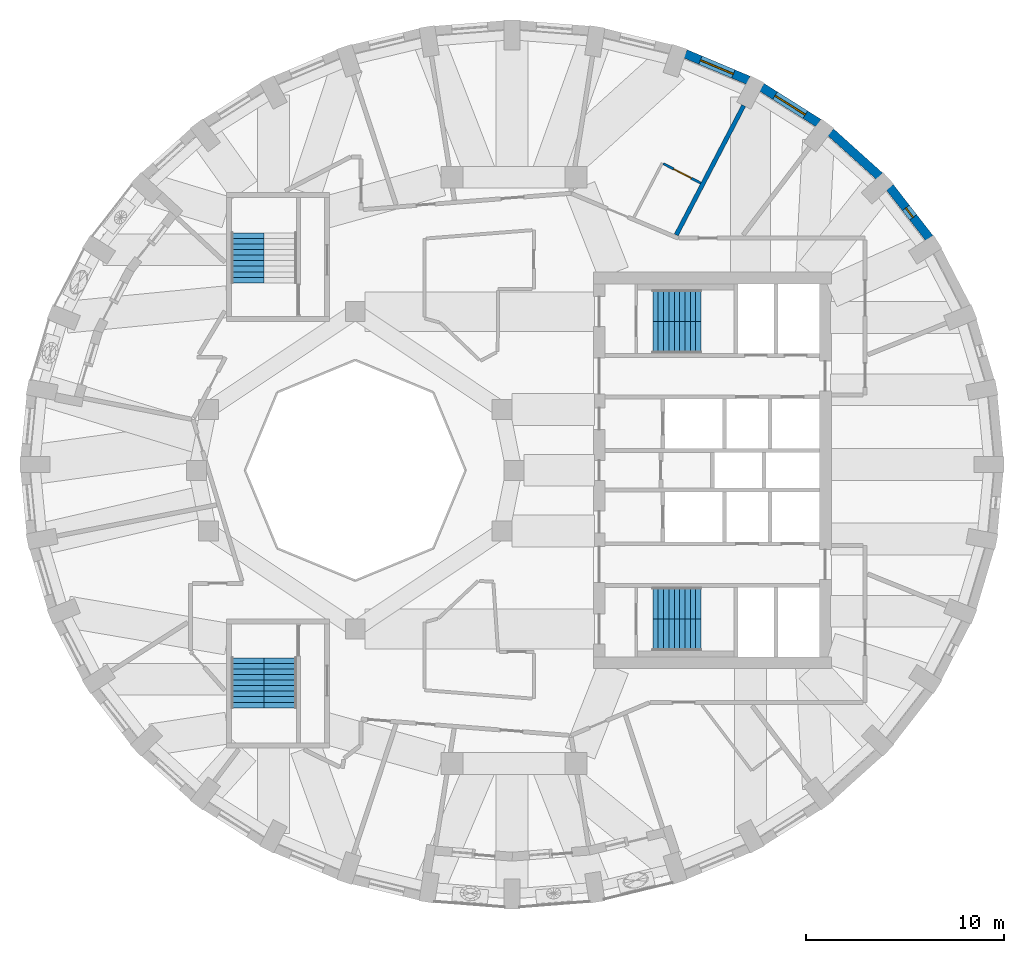
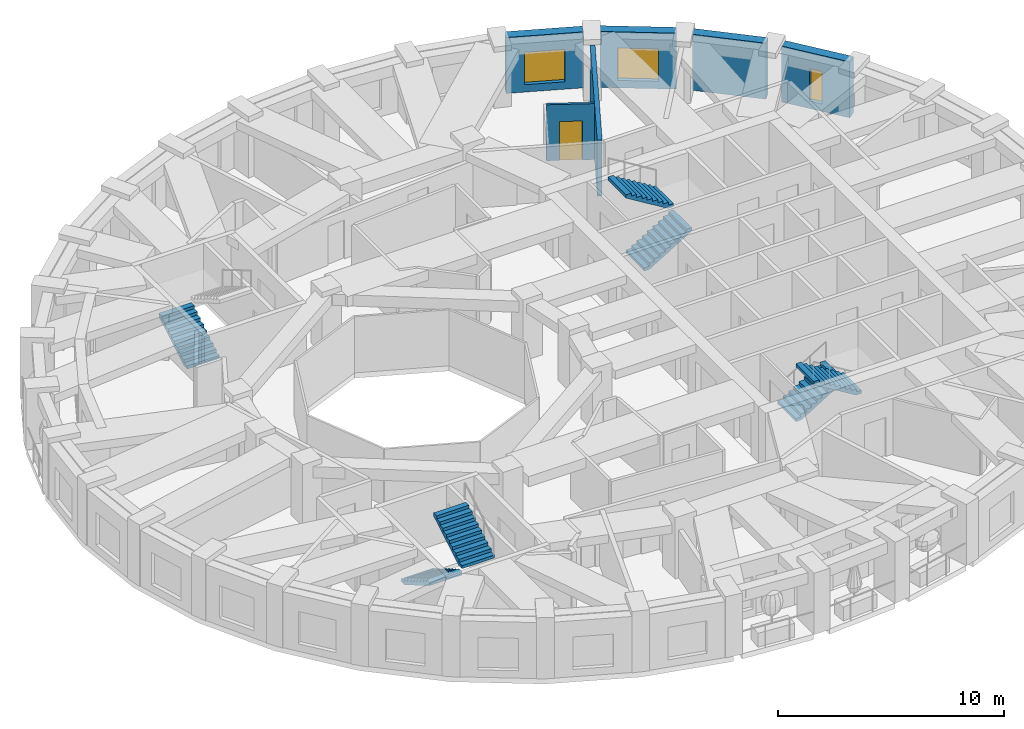
# One storey, part 8 of 12: 7 stair flights, 6 walls, 3 windows, 1 door, 4 openings, 4 elements without a shape of their own.
"""IFC4 building model written with IfcOpenShell, lengths in metres."""

from ifc_helpers import new_model, si_unit, direction, frame, frame_2d, origin, place, context, subcontext, project, spatial, polyline, rectangle, outline, extrude, material, layer, layer_set, type_object, element, fill, aggregate, save


model = new_model("IFC4")

# Units and contexts
model_context = context("Model", 3, precision=1e-05, world=origin(), true_north=direction((0.0, 1.0)))
body_context = subcontext(model_context, "Body", "Model", "MODEL_VIEW")
ifc_project = project(units=[si_unit("LENGTHUNIT", "METRE"), si_unit("AREAUNIT", "SQUARE_METRE"), si_unit("VOLUMEUNIT", "CUBIC_METRE"), si_unit("PLANEANGLEUNIT", "RADIAN"), si_unit("MASSUNIT", "GRAM", prefix="KILO")], contexts=[model_context])

# Site, building, storey
site_placement = place(None, origin())
site = spatial("IfcSite", under=ifc_project, at=site_placement, CompositionType="ELEMENT")
building_placement = place(site_placement, origin())
building = spatial("IfcBuilding", under=site, at=building_placement, Name="Taillehof Tower", CompositionType="ELEMENT")
storey_placement = place(building_placement, frame((0.0, 0.0, 246.5)))
storey = spatial("IfcBuildingStorey", under=building, at=storey_placement, Name="L70", CompositionType="ELEMENT", Elevation=246.5)

# Wall, opening, window
ifc_material_1 = material(Name="Brick masonry", Category="masonry")
ifc_layer_1 = layer(ifc_material_1, 0.449951171875)
ifc_layer_set_1 = layer_set([ifc_layer_1], Name="Brick infill wall 450")
wall_type_1 = type_object("IfcWallType", Name="Brick infill wall 450", PredefinedType="SOLIDWALL", material=ifc_layer_set_1)
wall_1_placement = place(storey_placement, frame((20.93505859375, 11.70849609375, 0.0), z_axis=(0.0, 0.0, 1.0), x_axis=(-0.613862536705, 0.789412937587, 0.0)))
wall_1 = element("IfcWall", 1, at=wall_1_placement, inside=storey, type_object=wall_type_1, Name="Brick wall L70 bay 4", PredefinedType="SOLIDWALL", context=body_context, shape_type="SweptSolid", body=[
    extrude(rectangle(XDim=3.247314453125, YDim=0.449951171875, at=frame_2d((1.62353515625, 0.0))), origin(), (0.0, 0.0, 1.0), 3.02001953125),
])
opening_1_placement = place(wall_1_placement, frame((1.32373046875, 0.0, 0.39990234375)))
opening_1 = element("IfcOpeningElement", 2, at=opening_1_placement, cuts=wall_1, Name="Opening W6", PredefinedType="OPENING", context=body_context, shape_type="SweptSolid", body=[
    extrude(rectangle(XDim=0.60009765625, YDim=1.75, at=frame_2d((0.300048828125, 0.875))), frame((0.0, 0.23486328125, 0.0), z_axis=(0.0, -1.0, 0.0), x_axis=(1.0, 0.0, 0.0)), (0.0, 0.0, 1.0), 0.469970703125),
])
ifc_material_2 = material(Name="Aluminium window frame with clear double glazing", Category="aluminium")
window_type_1 = type_object("IfcWindowType", Name="Slot window 600x1750", PartitioningType="SINGLE_PANEL", PredefinedType="WINDOW", material=ifc_material_2)
window_1_placement = place(opening_1_placement, origin())
window_1 = element("IfcWindow", 3, at=window_1_placement, inside=storey, type_object=window_type_1, Name="W6", OverallHeight=1.75, OverallWidth=0.60009765625, PartitioningType="SINGLE_PANEL", PredefinedType="WINDOW", context=body_context, shape_type="SweptSolid", body=[
    extrude(rectangle(XDim=0.60009765625, YDim=1.75, at=frame_2d((0.300048828125, 0.875))), frame((0.0, 0.034912109375, 0.0), z_axis=(0.0, -1.0, 0.0), x_axis=(1.0, 0.0, 0.0)), (0.0, 0.0, 1.0), 0.06005859375),
])
fill(opening_1, window_1)

# Wall
wall_2_placement = place(storey_placement, frame((18.423828125, 14.828369140625, 0.0), z_axis=(0.0, 0.0, 1.0), x_axis=(-0.743166014219, 0.669107073128, 0.0)))
element("IfcWall", 4, at=wall_2_placement, inside=storey, type_object=wall_type_1, Name="Brick wall L70 bay 5", PredefinedType="SOLIDWALL", context=body_context, shape_type="SweptSolid", body=[
    extrude(rectangle(XDim=3.31640625, YDim=0.449951171875, at=frame_2d((1.658203125, 0.0))), origin(), (0.0, 0.0, 1.0), 3.02001953125),
])

# Wall, opening, window
wall_3_placement = place(storey_placement, frame((15.35302734375, 17.506103515625, 0.0), z_axis=(0.0, 0.0, 1.0), x_axis=(-0.845929139811, 0.53329531258, 0.0)))
wall_3 = element("IfcWall", 5, at=wall_3_placement, inside=storey, type_object=wall_type_1, Name="Brick wall L70 bay 6", PredefinedType="SOLIDWALL", context=body_context, shape_type="SweptSolid", body=[
    extrude(rectangle(XDim=3.384521484375, YDim=0.449951171875, at=frame_2d((1.6923828125, 0.0))), origin(), (0.0, 0.0, 1.0), 3.02001953125),
])
opening_2_placement = place(wall_3_placement, frame((0.792236328125, 0.0, 0.39990234375)))
opening_2 = element("IfcOpeningElement", 6, at=opening_2_placement, cuts=wall_3, Name="Opening W4", PredefinedType="OPENING", context=body_context, shape_type="SweptSolid", body=[
    extrude(rectangle(XDim=1.800048828125, YDim=1.75, at=frame_2d((0.89990234375, 0.875))), frame((0.0, 0.23486328125, 0.0), z_axis=(0.0, -1.0, 0.0), x_axis=(1.0, 0.0, 0.0)), (0.0, 0.0, 1.0), 0.469970703125),
])
ifc_material_3 = material(Name="Aluminium window frame with clear double glazing", Category="aluminium")
window_type_2 = type_object("IfcWindowType", Name="Deep-set window 1800x1750", PartitioningType="SINGLE_PANEL", PredefinedType="WINDOW", material=ifc_material_3)
window_2_placement = place(opening_2_placement, origin())
window_2 = element("IfcWindow", 7, at=window_2_placement, inside=storey, type_object=window_type_2, Name="W4", OverallHeight=1.75, OverallWidth=1.800048828125, PartitioningType="SINGLE_PANEL", PredefinedType="WINDOW", context=body_context, shape_type="SweptSolid", body=[
    extrude(rectangle(XDim=1.800048828125, YDim=1.75, at=frame_2d((0.89990234375, 0.875))), frame((0.0, 0.034912109375, 0.0), z_axis=(0.0, -1.0, 0.0), x_axis=(1.0, 0.0, 0.0)), (0.0, 0.0, 1.0), 0.06005859375),
])
fill(opening_2, window_2)

wall_4_placement = place(storey_placement, frame((11.815673828125, 19.661865234375, 0.0), z_axis=(0.0, 0.0, 1.0), x_axis=(-0.922024627475, 0.387131226239, 0.0)))
wall_4 = element("IfcWall", 8, at=wall_4_placement, inside=storey, type_object=wall_type_1, Name="Brick wall L70 bay 7", PredefinedType="SOLIDWALL", context=body_context, shape_type="SweptSolid", body=[
    extrude(rectangle(XDim=3.443359375, YDim=0.449951171875, at=frame_2d((1.7216796875, 0.0))), origin(), (0.0, 0.0, 1.0), 3.02001953125),
])
opening_3_placement = place(wall_4_placement, frame((0.82177734375, 0.0, 0.39990234375)))
opening_3 = element("IfcOpeningElement", 9, at=opening_3_placement, cuts=wall_4, Name="Opening W4", PredefinedType="OPENING", context=body_context, shape_type="SweptSolid", body=[
    extrude(rectangle(XDim=1.800048828125, YDim=1.75, at=frame_2d((0.89990234375, 0.875))), frame((0.0, 0.23486328125, 0.0), z_axis=(0.0, -1.0, 0.0), x_axis=(1.0, 0.0, 0.0)), (0.0, 0.0, 1.0), 0.469970703125),
])
window_3_placement = place(opening_3_placement, origin())
window_3 = element("IfcWindow", 10, at=window_3_placement, inside=storey, type_object=window_type_2, Name="W4", OverallHeight=1.75, OverallWidth=1.800048828125, PartitioningType="SINGLE_PANEL", PredefinedType="WINDOW", context=body_context, shape_type="SweptSolid", body=[
    extrude(rectangle(XDim=1.800048828125, YDim=1.75, at=frame_2d((0.89990234375, 0.875))), frame((0.0, 0.034912109375, 0.0), z_axis=(0.0, -1.0, 0.0), x_axis=(1.0, 0.0, 0.0)), (0.0, 0.0, 1.0), 0.06005859375),
])
fill(opening_3, window_3)

# Wall
ifc_material_4 = material(Name="Gypsum board on double steel studs with mineral wool", Category="steel")
ifc_layer_2 = layer(ifc_material_4, 0.219970703125)
ifc_layer_set_2 = layer_set([ifc_layer_2], Name="Compartment wall guest room 220")
wall_type_2 = type_object("IfcWallType", Name="Compartment wall guest room 220", PredefinedType="PARTITIONING", material=ifc_layer_set_2)
wall_5_placement = place(storey_placement, frame((11.578125, 18.384521484375, 0.0), z_axis=(0.0, 0.0, 1.0), x_axis=(-0.462372875873, -0.886685583314, 0.0)))
element("IfcWall", 11, at=wall_5_placement, inside=storey, type_object=wall_type_2, Name="Compartment wall", PredefinedType="PARTITIONING", context=body_context, shape_type="SweptSolid", body=[
    extrude(rectangle(XDim=7.3447265625, YDim=0.219970703125, at=frame_2d((3.67236328125, 0.0))), origin(), (0.0, 0.0, 1.0), 3.02001953125),
])

# Wall, opening, door
ifc_material_5 = material(Name="Gypsum board on steel studs, moisture resistant", Category="steel")
ifc_layer_3 = layer(ifc_material_5, 0.1201171875)
ifc_layer_set_3 = layer_set([ifc_layer_3], Name="En-suite wall 120")
wall_type_3 = type_object("IfcWallType", Name="En-suite wall 120", PredefinedType="PARTITIONING", material=ifc_layer_set_3)
wall_6_placement = place(storey_placement, frame((7.52734375, 15.4609375, 0.0), z_axis=(0.0, 0.0, 1.0), x_axis=(0.88668701022, -0.462370139507, 0.0)))
wall_6 = element("IfcWall", 12, at=wall_6_placement, inside=storey, type_object=wall_type_3, Name="En-suite wall", PredefinedType="PARTITIONING", context=body_context, shape_type="SweptSolid", body=[
    extrude(rectangle(XDim=2.130126953125, YDim=0.1201171875, at=frame_2d((1.06494140625, 0.0))), origin(), (0.0, 0.0, 1.0), 3.02001953125),
])
opening_4_placement = place(wall_6_placement, frame((0.590087890625, 0.0, 0.0)))
opening_4 = element("IfcOpeningElement", 13, at=opening_4_placement, cuts=wall_6, Name="Opening D7042", PredefinedType="OPENING", context=body_context, shape_type="SweptSolid", body=[
    extrude(rectangle(XDim=1.0, YDim=2.10009765625, at=frame_2d((0.5, 1.050048828125))), frame((0.0, 0.070068359375, 0.0), z_axis=(0.0, -1.0, 0.0), x_axis=(1.0, 0.0, 0.0)), (0.0, 0.0, 1.0), 0.14013671875),
])
ifc_material_6 = material(Name="Timber door leaf in steel frame", Category="steel")
door_type = type_object("IfcDoorType", Name="Accessible en-suite door 1000 x 2100", OperationType="SINGLE_SWING_LEFT", PredefinedType="DOOR", material=ifc_material_6)
door_placement = place(opening_4_placement, origin())
door = element("IfcDoor", 14, at=door_placement, inside=storey, type_object=door_type, Name="D7042", OperationType="SINGLE_SWING_RIGHT", OverallHeight=2.10009765625, OverallWidth=1.0, PredefinedType="DOOR", context=body_context, shape_type="SweptSolid", body=[
    extrude(rectangle(XDim=1.0, YDim=2.10009765625, at=frame_2d((0.5, 1.050048828125))), frame((0.0, 0.02490234375, 0.0), z_axis=(0.0, -1.0, 0.0), x_axis=(1.0, 0.0, 0.0)), (0.0, 0.0, 1.0), 0.050048828125),
])
fill(opening_4, door)

# Stair, stair flights
ifc_material_7 = material(Name="Concrete C40/50", Category="concrete")
stair_type = type_object("IfcStairType", Name="Exit stair half-turn", PredefinedType="HALF_TURN_STAIR", material=ifc_material_7)
stair_1_placement = place(storey_placement, origin())
stair_1 = element("IfcStair", 15, at=stair_1_placement, inside=storey, type_object=stair_type, Name="Exit stair S1", PredefinedType="HALF_TURN_STAIR")
ifc_material_8 = material(Name="Concrete C40/50", Category="concrete")
stair_flight_type_1 = type_object("IfcStairFlightType", Name="Stair flight 1600 riser 165.0 going 270", PredefinedType="STRAIGHT", material=ifc_material_8)
stair_flight_1_placement = place(storey_placement, frame((7.0, 6.699951171875, 0.0), z_axis=(0.0, 0.0, 1.0), x_axis=(1.0, 0.0, 0.0)))
stair_flight_1 = element("IfcStairFlight", 16, at=stair_flight_1_placement, type_object=stair_flight_type_1, Name="S1 flight 1", NumberOfRisers=10, NumberOfTreads=9, PredefinedType="STRAIGHT", RiserHeight=0.165, TreadLength=0.27, context=body_context, shape_type="SweptSolid", body=[
    extrude(outline(polyline([(0.0, 0.0), (0.0, 0.00537109375), (0.0, 0.0107421875), (0.0, 0.015869140625), (0.0, 0.021240234375), (0.0, 0.026611328125), (0.0, 0.031982421875), (0.0, 0.037353515625), (0.0, 0.04248046875), (0.0, 0.0478515625), (0.0, 0.05322265625), (0.0, 0.05859375), (0.0, 0.06396484375), (0.0, 0.069091796875), (0.0, 0.074462890625), (0.0, 0.079833984375), (0.0, 0.085205078125), (0.0, 0.090576171875), (0.0, 0.095703125), (0.0, 0.10107421875), (0.0, 0.1064453125), (0.0, 0.11181640625), (0.0, 0.1171875), (0.0, 0.122314453125), (0.0, 0.127685546875), (0.0, 0.133056640625), (0.0, 0.138427734375), (0.0, 0.143798828125), (0.0, 0.14892578125), (0.0, 0.154296875), (0.0, 0.15966796875), (0.0, 0.1650390625), (0.27001953125, 0.1650390625), (0.27001953125, 0.330078125), (0.5400390625, 0.330078125), (0.5400390625, 0.4951171875), (0.81005859375, 0.4951171875), (0.81005859375, 0.659912109375), (1.080078125, 0.659912109375), (1.080078125, 0.824951171875), (1.35009765625, 0.824951171875), (1.35009765625, 0.989990234375), (1.6201171875, 0.989990234375), (1.6201171875, 1.155029296875), (1.889892578125, 1.155029296875), (1.889892578125, 1.320068359375), (2.159912109375, 1.320068359375), (2.159912109375, 1.485107421875), (2.429931640625, 1.485107421875), (2.429931640625, 1.479248046875), (2.429931640625, 1.4736328125), (2.429931640625, 1.468017578125), (2.429931640625, 1.46240234375), (2.429931640625, 1.45654296875), (2.429931640625, 1.450927734375), (2.429931640625, 1.4453125), (2.429931640625, 1.439697265625), (2.429931640625, 1.43408203125), (2.429931640625, 1.42822265625), (2.429931640625, 1.422607421875), (2.429931640625, 1.4169921875), (2.429931640625, 1.411376953125), (2.429931640625, 1.40576171875), (2.429931640625, 1.39990234375), (2.429931640625, 1.394287109375), (2.429931640625, 1.388671875), (2.429931640625, 1.383056640625), (2.429931640625, 1.37744140625), (2.429931640625, 1.37158203125), (2.429931640625, 1.365966796875), (2.429931640625, 1.3603515625), (2.429931640625, 1.354736328125), (2.429931640625, 1.348876953125), (2.429931640625, 1.34326171875), (2.429931640625, 1.337646484375), (2.429931640625, 1.33203125), (2.429931640625, 1.326416015625), (2.429931640625, 1.320556640625), (2.429931640625, 1.31494140625), (2.429931640625, 1.309326171875), (0.287353515625, 0.0), (0.0, 0.0)])), frame((0.0, 0.800048828125, 0.0), z_axis=(0.0, -1.0, 0.0), x_axis=(1.0, 0.0, 0.0)), (0.0, 0.0, 1.0), 1.6),
])
stair_flight_2_placement = place(storey_placement, frame((9.429931640625, 8.300048828125, 1.64990234375), z_axis=(0.0, 0.0, 1.0), x_axis=(-1.0, 0.0, 0.0)))
stair_flight_2 = element("IfcStairFlight", 17, at=stair_flight_2_placement, type_object=stair_flight_type_1, Name="S1 flight 2", NumberOfRisers=10, NumberOfTreads=9, PredefinedType="STRAIGHT", RiserHeight=0.165, TreadLength=0.27, context=body_context, shape_type="SweptSolid", body=[
    extrude(outline(polyline([(0.0, 0.0), (0.0, 0.00537109375), (0.0, 0.0107421875), (0.0, 0.015869140625), (0.0, 0.021240234375), (0.0, 0.026611328125), (0.0, 0.031982421875), (0.0, 0.037353515625), (0.0, 0.04248046875), (0.0, 0.0478515625), (0.0, 0.05322265625), (0.0, 0.05859375), (0.0, 0.06396484375), (0.0, 0.069091796875), (0.0, 0.074462890625), (0.0, 0.079833984375), (0.0, 0.085205078125), (0.0, 0.090576171875), (0.0, 0.095703125), (0.0, 0.10107421875), (0.0, 0.1064453125), (0.0, 0.11181640625), (0.0, 0.1171875), (0.0, 0.122314453125), (0.0, 0.127685546875), (0.0, 0.133056640625), (0.0, 0.138427734375), (0.0, 0.143798828125), (0.0, 0.14892578125), (0.0, 0.154296875), (0.0, 0.15966796875), (0.0, 0.1650390625), (0.27001953125, 0.1650390625), (0.27001953125, 0.330078125), (0.5400390625, 0.330078125), (0.5400390625, 0.4951171875), (0.81005859375, 0.4951171875), (0.81005859375, 0.659912109375), (1.080078125, 0.659912109375), (1.080078125, 0.824951171875), (1.35009765625, 0.824951171875), (1.35009765625, 0.989990234375), (1.6201171875, 0.989990234375), (1.6201171875, 1.155029296875), (1.889892578125, 1.155029296875), (1.889892578125, 1.320068359375), (2.159912109375, 1.320068359375), (2.159912109375, 1.485107421875), (2.429931640625, 1.485107421875), (2.429931640625, 1.479248046875), (2.429931640625, 1.4736328125), (2.429931640625, 1.468017578125), (2.429931640625, 1.46240234375), (2.429931640625, 1.45654296875), (2.429931640625, 1.450927734375), (2.429931640625, 1.4453125), (2.429931640625, 1.439697265625), (2.429931640625, 1.43408203125), (2.429931640625, 1.42822265625), (2.429931640625, 1.422607421875), (2.429931640625, 1.4169921875), (2.429931640625, 1.411376953125), (2.429931640625, 1.40576171875), (2.429931640625, 1.39990234375), (2.429931640625, 1.394287109375), (2.429931640625, 1.388671875), (2.429931640625, 1.383056640625), (2.429931640625, 1.37744140625), (2.429931640625, 1.37158203125), (2.429931640625, 1.365966796875), (2.429931640625, 1.3603515625), (2.429931640625, 1.354736328125), (2.429931640625, 1.348876953125), (2.429931640625, 1.34326171875), (2.429931640625, 1.337646484375), (2.429931640625, 1.33203125), (2.429931640625, 1.326416015625), (2.429931640625, 1.320556640625), (2.429931640625, 1.31494140625), (2.429931640625, 1.309326171875), (0.287353515625, 0.0), (0.0, 0.0)])), frame((0.0, 0.800048828125, 0.0), z_axis=(0.0, -1.0, 0.0), x_axis=(1.0, 0.0, 0.0)), (0.0, 0.0, 1.0), 1.6),
])
aggregate(stair_1, [stair_flight_1, stair_flight_2])

stair_2_placement = place(storey_placement, origin())
stair_2 = element("IfcStair", 18, at=stair_2_placement, inside=storey, type_object=stair_type, Name="Exit stair S2", PredefinedType="HALF_TURN_STAIR")
stair_flight_3_placement = place(storey_placement, frame((7.0, -6.699951171875, 0.0), z_axis=(0.0, 0.0, 1.0), x_axis=(1.0, 0.0, 0.0)))
stair_flight_3 = element("IfcStairFlight", 19, at=stair_flight_3_placement, type_object=stair_flight_type_1, Name="S2 flight 1", NumberOfRisers=10, NumberOfTreads=9, PredefinedType="STRAIGHT", RiserHeight=0.165, TreadLength=0.27, context=body_context, shape_type="SweptSolid", body=[
    extrude(outline(polyline([(0.0, 0.0), (0.0, 0.00537109375), (0.0, 0.0107421875), (0.0, 0.015869140625), (0.0, 0.021240234375), (0.0, 0.026611328125), (0.0, 0.031982421875), (0.0, 0.037353515625), (0.0, 0.04248046875), (0.0, 0.0478515625), (0.0, 0.05322265625), (0.0, 0.05859375), (0.0, 0.06396484375), (0.0, 0.069091796875), (0.0, 0.074462890625), (0.0, 0.079833984375), (0.0, 0.085205078125), (0.0, 0.090576171875), (0.0, 0.095703125), (0.0, 0.10107421875), (0.0, 0.1064453125), (0.0, 0.11181640625), (0.0, 0.1171875), (0.0, 0.122314453125), (0.0, 0.127685546875), (0.0, 0.133056640625), (0.0, 0.138427734375), (0.0, 0.143798828125), (0.0, 0.14892578125), (0.0, 0.154296875), (0.0, 0.15966796875), (0.0, 0.1650390625), (0.27001953125, 0.1650390625), (0.27001953125, 0.330078125), (0.5400390625, 0.330078125), (0.5400390625, 0.4951171875), (0.81005859375, 0.4951171875), (0.81005859375, 0.659912109375), (1.080078125, 0.659912109375), (1.080078125, 0.824951171875), (1.35009765625, 0.824951171875), (1.35009765625, 0.989990234375), (1.6201171875, 0.989990234375), (1.6201171875, 1.155029296875), (1.889892578125, 1.155029296875), (1.889892578125, 1.320068359375), (2.159912109375, 1.320068359375), (2.159912109375, 1.485107421875), (2.429931640625, 1.485107421875), (2.429931640625, 1.479248046875), (2.429931640625, 1.4736328125), (2.429931640625, 1.468017578125), (2.429931640625, 1.46240234375), (2.429931640625, 1.45654296875), (2.429931640625, 1.450927734375), (2.429931640625, 1.4453125), (2.429931640625, 1.439697265625), (2.429931640625, 1.43408203125), (2.429931640625, 1.42822265625), (2.429931640625, 1.422607421875), (2.429931640625, 1.4169921875), (2.429931640625, 1.411376953125), (2.429931640625, 1.40576171875), (2.429931640625, 1.39990234375), (2.429931640625, 1.394287109375), (2.429931640625, 1.388671875), (2.429931640625, 1.383056640625), (2.429931640625, 1.37744140625), (2.429931640625, 1.37158203125), (2.429931640625, 1.365966796875), (2.429931640625, 1.3603515625), (2.429931640625, 1.354736328125), (2.429931640625, 1.348876953125), (2.429931640625, 1.34326171875), (2.429931640625, 1.337646484375), (2.429931640625, 1.33203125), (2.429931640625, 1.326416015625), (2.429931640625, 1.320556640625), (2.429931640625, 1.31494140625), (2.429931640625, 1.309326171875), (0.287353515625, 0.0), (0.0, 0.0)])), frame((0.0, 0.800048828125, 0.0), z_axis=(0.0, -1.0, 0.0), x_axis=(1.0, 0.0, 0.0)), (0.0, 0.0, 1.0), 1.6),
])
stair_flight_4_placement = place(storey_placement, frame((9.429931640625, -8.300048828125, 1.64990234375), z_axis=(0.0, 0.0, 1.0), x_axis=(-1.0, 0.0, 0.0)))
stair_flight_4 = element("IfcStairFlight", 20, at=stair_flight_4_placement, type_object=stair_flight_type_1, Name="S2 flight 2", NumberOfRisers=10, NumberOfTreads=9, PredefinedType="STRAIGHT", RiserHeight=0.165, TreadLength=0.27, context=body_context, shape_type="SweptSolid", body=[
    extrude(outline(polyline([(0.0, 0.0), (0.0, 0.00537109375), (0.0, 0.0107421875), (0.0, 0.015869140625), (0.0, 0.021240234375), (0.0, 0.026611328125), (0.0, 0.031982421875), (0.0, 0.037353515625), (0.0, 0.04248046875), (0.0, 0.0478515625), (0.0, 0.05322265625), (0.0, 0.05859375), (0.0, 0.06396484375), (0.0, 0.069091796875), (0.0, 0.074462890625), (0.0, 0.079833984375), (0.0, 0.085205078125), (0.0, 0.090576171875), (0.0, 0.095703125), (0.0, 0.10107421875), (0.0, 0.1064453125), (0.0, 0.11181640625), (0.0, 0.1171875), (0.0, 0.122314453125), (0.0, 0.127685546875), (0.0, 0.133056640625), (0.0, 0.138427734375), (0.0, 0.143798828125), (0.0, 0.14892578125), (0.0, 0.154296875), (0.0, 0.15966796875), (0.0, 0.1650390625), (0.27001953125, 0.1650390625), (0.27001953125, 0.330078125), (0.5400390625, 0.330078125), (0.5400390625, 0.4951171875), (0.81005859375, 0.4951171875), (0.81005859375, 0.659912109375), (1.080078125, 0.659912109375), (1.080078125, 0.824951171875), (1.35009765625, 0.824951171875), (1.35009765625, 0.989990234375), (1.6201171875, 0.989990234375), (1.6201171875, 1.155029296875), (1.889892578125, 1.155029296875), (1.889892578125, 1.320068359375), (2.159912109375, 1.320068359375), (2.159912109375, 1.485107421875), (2.429931640625, 1.485107421875), (2.429931640625, 1.479248046875), (2.429931640625, 1.4736328125), (2.429931640625, 1.468017578125), (2.429931640625, 1.46240234375), (2.429931640625, 1.45654296875), (2.429931640625, 1.450927734375), (2.429931640625, 1.4453125), (2.429931640625, 1.439697265625), (2.429931640625, 1.43408203125), (2.429931640625, 1.42822265625), (2.429931640625, 1.422607421875), (2.429931640625, 1.4169921875), (2.429931640625, 1.411376953125), (2.429931640625, 1.40576171875), (2.429931640625, 1.39990234375), (2.429931640625, 1.394287109375), (2.429931640625, 1.388671875), (2.429931640625, 1.383056640625), (2.429931640625, 1.37744140625), (2.429931640625, 1.37158203125), (2.429931640625, 1.365966796875), (2.429931640625, 1.3603515625), (2.429931640625, 1.354736328125), (2.429931640625, 1.348876953125), (2.429931640625, 1.34326171875), (2.429931640625, 1.337646484375), (2.429931640625, 1.33203125), (2.429931640625, 1.326416015625), (2.429931640625, 1.320556640625), (2.429931640625, 1.31494140625), (2.429931640625, 1.309326171875), (0.287353515625, 0.0), (0.0, 0.0)])), frame((0.0, 0.800048828125, 0.0), z_axis=(0.0, -1.0, 0.0), x_axis=(1.0, 0.0, 0.0)), (0.0, 0.0, 1.0), 1.6),
])
aggregate(stair_2, [stair_flight_3, stair_flight_4])

# Stair, stair flight
stair_3_placement = place(storey_placement, origin())
stair_3 = element("IfcStair", 21, at=stair_3_placement, inside=storey, type_object=stair_type, Name="Exit stair S3", PredefinedType="HALF_TURN_STAIR")
ifc_material_9 = material(Name="Concrete C40/50", Category="concrete")
stair_flight_type_2 = type_object("IfcStairFlightType", Name="Stair flight 1650 riser 165.0 going 280", PredefinedType="STRAIGHT", material=ifc_material_9)
stair_flight_5_placement = place(storey_placement, frame((-13.425048828125, 9.449951171875, 0.0), z_axis=(0.0, 0.0, 1.0), x_axis=(0.0, 1.0, 0.0)))
stair_flight_5 = element("IfcStairFlight", 22, at=stair_flight_5_placement, type_object=stair_flight_type_2, Name="S3 flight 1", NumberOfRisers=10, NumberOfTreads=9, PredefinedType="STRAIGHT", RiserHeight=0.165, TreadLength=0.28, context=body_context, shape_type="SweptSolid", body=[
    extrude(outline(polyline([(0.0, 0.0), (0.0, 0.00537109375), (0.0, 0.0107421875), (0.0, 0.015869140625), (0.0, 0.021240234375), (0.0, 0.026611328125), (0.0, 0.031982421875), (0.0, 0.037353515625), (0.0, 0.04248046875), (0.0, 0.0478515625), (0.0, 0.05322265625), (0.0, 0.05859375), (0.0, 0.06396484375), (0.0, 0.069091796875), (0.0, 0.074462890625), (0.0, 0.079833984375), (0.0, 0.085205078125), (0.0, 0.090576171875), (0.0, 0.095703125), (0.0, 0.10107421875), (0.0, 0.1064453125), (0.0, 0.11181640625), (0.0, 0.1171875), (0.0, 0.122314453125), (0.0, 0.127685546875), (0.0, 0.133056640625), (0.0, 0.138427734375), (0.0, 0.143798828125), (0.0, 0.14892578125), (0.0, 0.154296875), (0.0, 0.15966796875), (0.0, 0.1650390625), (0.280029296875, 0.1650390625), (0.280029296875, 0.330078125), (0.56005859375, 0.330078125), (0.56005859375, 0.4951171875), (0.840087890625, 0.4951171875), (0.840087890625, 0.659912109375), (1.1201171875, 0.659912109375), (1.1201171875, 0.824951171875), (1.39990234375, 0.824951171875), (1.39990234375, 0.989990234375), (1.679931640625, 0.989990234375), (1.679931640625, 1.155029296875), (1.9599609375, 1.155029296875), (1.9599609375, 1.320068359375), (2.239990234375, 1.320068359375), (2.239990234375, 1.485107421875), (2.52001953125, 1.485107421875), (2.52001953125, 1.4794921875), (2.52001953125, 1.473876953125), (2.52001953125, 1.46826171875), (2.52001953125, 1.462646484375), (2.52001953125, 1.45703125), (2.52001953125, 1.451416015625), (2.52001953125, 1.44580078125), (2.52001953125, 1.440185546875), (2.52001953125, 1.4345703125), (2.52001953125, 1.428955078125), (2.52001953125, 1.42333984375), (2.52001953125, 1.417724609375), (2.52001953125, 1.412109375), (2.52001953125, 1.406494140625), (2.52001953125, 1.40087890625), (2.52001953125, 1.395263671875), (2.52001953125, 1.3896484375), (2.52001953125, 1.384033203125), (2.52001953125, 1.37841796875), (2.52001953125, 1.372802734375), (2.52001953125, 1.3671875), (2.52001953125, 1.361572265625), (2.52001953125, 1.35595703125), (2.52001953125, 1.350341796875), (2.52001953125, 1.3447265625), (2.52001953125, 1.339111328125), (2.52001953125, 1.33349609375), (2.52001953125, 1.327880859375), (2.52001953125, 1.322265625), (2.52001953125, 1.316650390625), (2.52001953125, 1.31103515625), (0.295166015625, 0.0), (0.0, 0.0)])), frame((0.0, 0.824951171875, 0.0), z_axis=(0.0, -1.0, 0.0), x_axis=(1.0, 0.0, 0.0)), (0.0, 0.0, 1.0), 1.65),
])
aggregate(stair_3, [stair_flight_5])

# Stair, stair flights
stair_4_placement = place(storey_placement, origin())
stair_4 = element("IfcStair", 23, at=stair_4_placement, inside=storey, type_object=stair_type, Name="Exit stair S4", PredefinedType="HALF_TURN_STAIR")
stair_flight_6_placement = place(storey_placement, frame((-13.425048828125, -9.449951171875, 0.0), z_axis=(0.0, 0.0, 1.0), x_axis=(0.0, -1.0, 0.0)))
stair_flight_6 = element("IfcStairFlight", 24, at=stair_flight_6_placement, type_object=stair_flight_type_2, Name="S4 flight 1", NumberOfRisers=10, NumberOfTreads=9, PredefinedType="STRAIGHT", RiserHeight=0.165, TreadLength=0.28, context=body_context, shape_type="SweptSolid", body=[
    extrude(outline(polyline([(0.0, 0.0), (0.0, 0.00537109375), (0.0, 0.0107421875), (0.0, 0.015869140625), (0.0, 0.021240234375), (0.0, 0.026611328125), (0.0, 0.031982421875), (0.0, 0.037353515625), (0.0, 0.04248046875), (0.0, 0.0478515625), (0.0, 0.05322265625), (0.0, 0.05859375), (0.0, 0.06396484375), (0.0, 0.069091796875), (0.0, 0.074462890625), (0.0, 0.079833984375), (0.0, 0.085205078125), (0.0, 0.090576171875), (0.0, 0.095703125), (0.0, 0.10107421875), (0.0, 0.1064453125), (0.0, 0.11181640625), (0.0, 0.1171875), (0.0, 0.122314453125), (0.0, 0.127685546875), (0.0, 0.133056640625), (0.0, 0.138427734375), (0.0, 0.143798828125), (0.0, 0.14892578125), (0.0, 0.154296875), (0.0, 0.15966796875), (0.0, 0.1650390625), (0.280029296875, 0.1650390625), (0.280029296875, 0.330078125), (0.56005859375, 0.330078125), (0.56005859375, 0.4951171875), (0.840087890625, 0.4951171875), (0.840087890625, 0.659912109375), (1.1201171875, 0.659912109375), (1.1201171875, 0.824951171875), (1.39990234375, 0.824951171875), (1.39990234375, 0.989990234375), (1.679931640625, 0.989990234375), (1.679931640625, 1.155029296875), (1.9599609375, 1.155029296875), (1.9599609375, 1.320068359375), (2.239990234375, 1.320068359375), (2.239990234375, 1.485107421875), (2.52001953125, 1.485107421875), (2.52001953125, 1.4794921875), (2.52001953125, 1.473876953125), (2.52001953125, 1.46826171875), (2.52001953125, 1.462646484375), (2.52001953125, 1.45703125), (2.52001953125, 1.451416015625), (2.52001953125, 1.44580078125), (2.52001953125, 1.440185546875), (2.52001953125, 1.4345703125), (2.52001953125, 1.428955078125), (2.52001953125, 1.42333984375), (2.52001953125, 1.417724609375), (2.52001953125, 1.412109375), (2.52001953125, 1.406494140625), (2.52001953125, 1.40087890625), (2.52001953125, 1.395263671875), (2.52001953125, 1.3896484375), (2.52001953125, 1.384033203125), (2.52001953125, 1.37841796875), (2.52001953125, 1.372802734375), (2.52001953125, 1.3671875), (2.52001953125, 1.361572265625), (2.52001953125, 1.35595703125), (2.52001953125, 1.350341796875), (2.52001953125, 1.3447265625), (2.52001953125, 1.339111328125), (2.52001953125, 1.33349609375), (2.52001953125, 1.327880859375), (2.52001953125, 1.322265625), (2.52001953125, 1.316650390625), (2.52001953125, 1.31103515625), (0.295166015625, 0.0), (0.0, 0.0)])), frame((0.0, 0.824951171875, 0.0), z_axis=(0.0, -1.0, 0.0), x_axis=(1.0, 0.0, 0.0)), (0.0, 0.0, 1.0), 1.65),
])
stair_flight_7_placement = place(storey_placement, frame((-11.77490234375, -11.969970703125, 1.64990234375), z_axis=(0.0, 0.0, 1.0), x_axis=(0.0, 1.0, 0.0)))
stair_flight_7 = element("IfcStairFlight", 25, at=stair_flight_7_placement, type_object=stair_flight_type_2, Name="S4 flight 2", NumberOfRisers=10, NumberOfTreads=9, PredefinedType="STRAIGHT", RiserHeight=0.165, TreadLength=0.28, context=body_context, shape_type="SweptSolid", body=[
    extrude(outline(polyline([(0.0, 0.0), (0.0, 0.00537109375), (0.0, 0.0107421875), (0.0, 0.015869140625), (0.0, 0.021240234375), (0.0, 0.026611328125), (0.0, 0.031982421875), (0.0, 0.037353515625), (0.0, 0.04248046875), (0.0, 0.0478515625), (0.0, 0.05322265625), (0.0, 0.05859375), (0.0, 0.06396484375), (0.0, 0.069091796875), (0.0, 0.074462890625), (0.0, 0.079833984375), (0.0, 0.085205078125), (0.0, 0.090576171875), (0.0, 0.095703125), (0.0, 0.10107421875), (0.0, 0.1064453125), (0.0, 0.11181640625), (0.0, 0.1171875), (0.0, 0.122314453125), (0.0, 0.127685546875), (0.0, 0.133056640625), (0.0, 0.138427734375), (0.0, 0.143798828125), (0.0, 0.14892578125), (0.0, 0.154296875), (0.0, 0.15966796875), (0.0, 0.1650390625), (0.280029296875, 0.1650390625), (0.280029296875, 0.330078125), (0.56005859375, 0.330078125), (0.56005859375, 0.4951171875), (0.840087890625, 0.4951171875), (0.840087890625, 0.659912109375), (1.1201171875, 0.659912109375), (1.1201171875, 0.824951171875), (1.39990234375, 0.824951171875), (1.39990234375, 0.989990234375), (1.679931640625, 0.989990234375), (1.679931640625, 1.155029296875), (1.9599609375, 1.155029296875), (1.9599609375, 1.320068359375), (2.239990234375, 1.320068359375), (2.239990234375, 1.485107421875), (2.52001953125, 1.485107421875), (2.52001953125, 1.4794921875), (2.52001953125, 1.473876953125), (2.52001953125, 1.46826171875), (2.52001953125, 1.462646484375), (2.52001953125, 1.45703125), (2.52001953125, 1.451416015625), (2.52001953125, 1.44580078125), (2.52001953125, 1.440185546875), (2.52001953125, 1.4345703125), (2.52001953125, 1.428955078125), (2.52001953125, 1.42333984375), (2.52001953125, 1.417724609375), (2.52001953125, 1.412109375), (2.52001953125, 1.406494140625), (2.52001953125, 1.40087890625), (2.52001953125, 1.395263671875), (2.52001953125, 1.3896484375), (2.52001953125, 1.384033203125), (2.52001953125, 1.37841796875), (2.52001953125, 1.372802734375), (2.52001953125, 1.3671875), (2.52001953125, 1.361572265625), (2.52001953125, 1.35595703125), (2.52001953125, 1.350341796875), (2.52001953125, 1.3447265625), (2.52001953125, 1.339111328125), (2.52001953125, 1.33349609375), (2.52001953125, 1.327880859375), (2.52001953125, 1.322265625), (2.52001953125, 1.316650390625), (2.52001953125, 1.31103515625), (0.295166015625, 0.0), (0.0, 0.0)])), frame((0.0, 0.824951171875, 0.0), z_axis=(0.0, -1.0, 0.0), x_axis=(1.0, 0.0, 0.0)), (0.0, 0.0, 1.0), 1.65),
])
aggregate(stair_4, [stair_flight_6, stair_flight_7])

save(model, "model.ifc")
